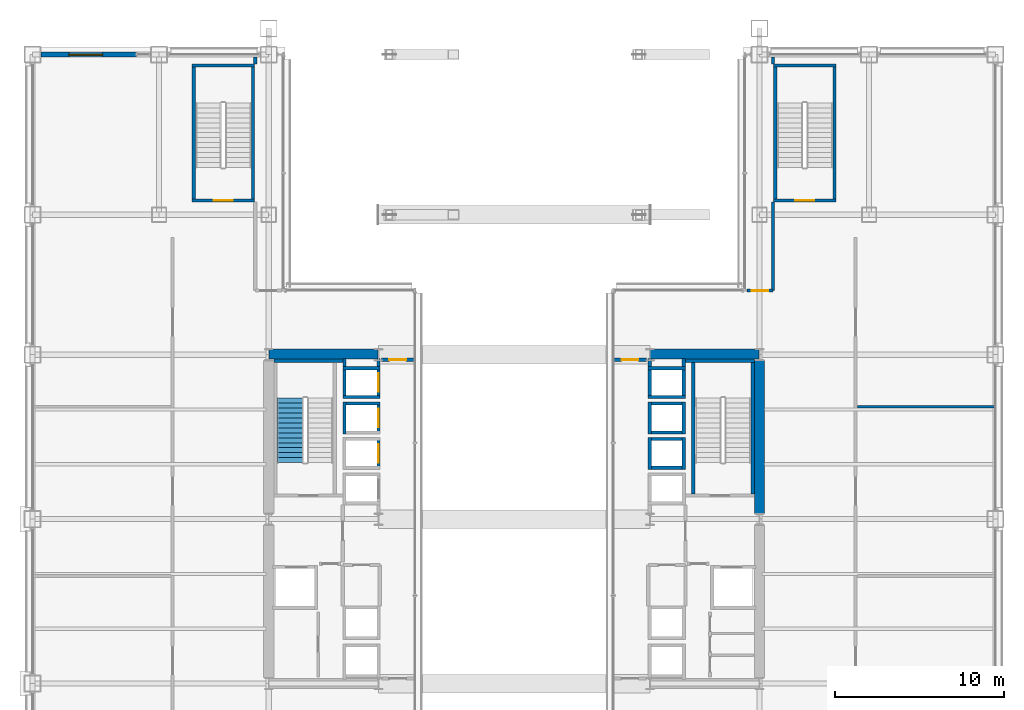
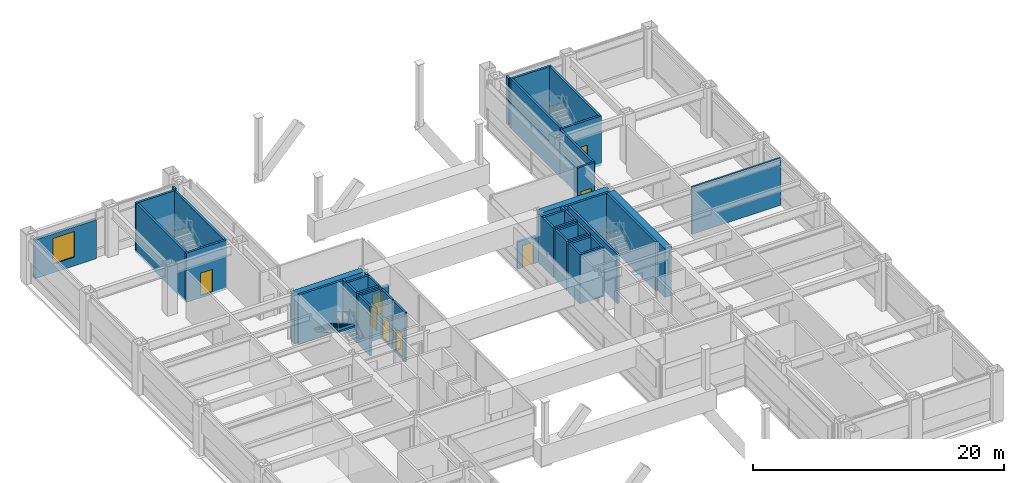
# One storey, part 39 of 42: 43 walls, 8 doors, 1 stair flight, 1 window, 9 openings, 1 element without a shape of its own.
"""IFC4 building model written with IfcOpenShell, lengths in metres."""

from ifc_helpers import new_model, si_unit, direction, frame, frame_2d, origin, place, context, subcontext, project, spatial, polyline, rectangle, outline, extrude, material, layer, layer_set, type_object, element, fill, aggregate, save


model = new_model("IFC4")

# Units and contexts
model_context = context("Model", 3, precision=1e-05, world=origin(), true_north=direction((0.0, 1.0)))
body_context = subcontext(model_context, "Body", "Model", "MODEL_VIEW")
ifc_project = project(units=[si_unit("LENGTHUNIT", "METRE"), si_unit("AREAUNIT", "SQUARE_METRE"), si_unit("VOLUMEUNIT", "CUBIC_METRE"), si_unit("PLANEANGLEUNIT", "RADIAN"), si_unit("MASSUNIT", "GRAM", prefix="KILO")], contexts=[model_context])

# Site, building, storey
site_placement = place(None, origin())
site = spatial("IfcSite", under=ifc_project, at=site_placement, CompositionType="ELEMENT")
building_placement = place(site_placement, origin())
building = spatial("IfcBuilding", under=site, at=building_placement, Name="Brelmoor Portico Tower", CompositionType="ELEMENT")
storey_placement = place(building_placement, frame((0.0, 0.0, 9.60009765625)))
storey = spatial("IfcBuildingStorey", under=building, at=storey_placement, Name="L02", CompositionType="ELEMENT", Elevation=9.60009765625)

# Walls
ifc_material_1 = material(Name="Concrete C60", Category="concrete")
ifc_layer_1 = layer(ifc_material_1, 0.60009765625)
ifc_layer_set_1 = layer_set([ifc_layer_1], Name="Concrete C60")
wall_type_1 = type_object("IfcWallType", Name="WL-CORE-600", PredefinedType="SHEAR", material=ifc_layer_set_1)
for number, where, z_axis, x_axis, name in (
    (1, (-14.530029296875, 9.800048828125, -0.22021484375), (0.0, 0.0, 1.0), (1.0, 0.0, 0.0), "L02 WC North Shear Wall"),
    (2, (8.070068359375, 9.800048828125, -0.22021484375), (0.0, 0.0, 1.0), (1.0, 0.0, 0.0), "L02 EC North Shear Wall"),
):
    element("IfcWall", number, at=place(storey_placement, frame(where, z_axis=z_axis, x_axis=x_axis)), inside=storey, type_object=wall_type_1, Name=name, PredefinedType="SHEAR", context=body_context, shape_type="SweptSolid", body=[
        extrude(rectangle(XDim=6.4599609375, YDim=0.60009765625, at=frame_2d((3.22998046875, 0.0))), origin(), (0.0, 0.0, 1.0), 4.800048828125),
    ])
wall_1_placement = place(storey_placement, frame((14.550048828125, 0.35009765625, -0.22021484375), z_axis=(0.0, 0.0, 1.0), x_axis=(0.0, 1.0, 0.0)))
element("IfcWall", 3, at=wall_1_placement, inside=storey, type_object=wall_type_1, Name="L02 EC Outer North Shear Wall", PredefinedType="SHEAR", context=body_context, shape_type="SweptSolid", body=[
    extrude(rectangle(XDim=9.0498046875, YDim=0.60009765625, at=frame_2d((4.52490234375, 0.0))), origin(), (0.0, 0.0, 1.0), 4.800048828125),
])

# Wall, opening, window
ifc_material_2 = material(Name="Precast Concrete C40 Acoustic Spandrel Wall", Category="concrete")
ifc_layer_2 = layer(ifc_material_2, 0.280029296875)
ifc_layer_set_2 = layer_set([ifc_layer_2], Name="Precast Concrete C40 Acoustic Spandrel Wall")
wall_type_2 = type_object("IfcWallType", Name="WL-EXT-280", PredefinedType="STANDARD", material=ifc_layer_set_2)
wall_2_placement = place(storey_placement, frame((-28.0400390625, 27.550048828125, 0.0), z_axis=(0.0, 0.0, 1.0), x_axis=(1.0, 0.0, 0.0)))
wall_2 = element("IfcWall", 4, at=wall_2_placement, inside=storey, type_object=wall_type_2, Name="L02 Podium North-West Precast Wall", PredefinedType="STANDARD", context=body_context, shape_type="SweptSolid", body=[
    extrude(rectangle(XDim=5.64013671875, YDim=0.280029296875, at=frame_2d((2.820068359375, 0.0))), origin(), (0.0, 0.0, 1.0), 3.77978515625),
])
opening_1_placement = place(wall_2_placement, frame((1.639892578125, 0.0, 0.85009765625)))
opening_1 = element("IfcOpeningElement", 5, at=opening_1_placement, cuts=wall_2, Name="Opening W-04B", PredefinedType="OPENING", context=body_context, shape_type="SweptSolid", body=[
    extrude(rectangle(XDim=2.0, YDim=2.5, at=frame_2d((1.0, 1.25))), frame((0.0, 0.14990234375, 0.0), z_axis=(0.0, -1.0, 0.0), x_axis=(1.0, 0.0, 0.0)), (0.0, 0.0, 1.0), 0.300048828125),
])
ifc_material_3 = material(Name="Thermally Broken Aluminium Low-E Window", Category="aluminium")
window_type = type_object("IfcWindowType", Name="WN-PODIUM-2000x2500", PartitioningType="SINGLE_PANEL", PredefinedType="WINDOW", material=ifc_material_3)
window_placement = place(opening_1_placement, origin())
window = element("IfcWindow", 6, at=window_placement, inside=storey, type_object=window_type, Name="L02 Podium Window PNW", OverallHeight=2.5, OverallWidth=2.0, PartitioningType="SINGLE_PANEL", PredefinedType="WINDOW", context=body_context, shape_type="SweptSolid", body=[
    extrude(rectangle(XDim=2.0, YDim=2.5, at=frame_2d((1.0, 1.25))), frame((0.0, 0.030029296875, 0.0), z_axis=(0.0, -1.0, 0.0), x_axis=(1.0, 0.0, 0.0)), (0.0, 0.0, 1.0), 0.06005859375),
])
fill(opening_1, window)

# Walls
ifc_material_4 = material(Name="Twin-Frame Acoustic Partition", Category="gypsum")
ifc_layer_3 = layer(ifc_material_4, 0.159912109375)
ifc_layer_set_3 = layer_set([ifc_layer_3], Name="Twin-Frame Acoustic Partition")
wall_type_3 = type_object("IfcWallType", Name="WL-PART-160", PredefinedType="PARTITIONING", material=ifc_layer_set_3)
wall_3_placement = place(storey_placement, frame((20.35009765625, 6.666748046875, 0.0), z_axis=(0.0, 0.0, 1.0), x_axis=(1.0, 0.0, 0.0)))
element("IfcWall", 7, at=wall_3_placement, inside=storey, type_object=wall_type_3, Name="L02 E Wing Divider 2", PredefinedType="PARTITIONING", context=body_context, shape_type="SweptSolid", body=[
    extrude(rectangle(XDim=8.169921875, YDim=0.159912109375, at=frame_2d((4.0849609375, 0.0))), origin(), (0.0, 0.0, 1.0), 4.579833984375),
])
ifc_material_5 = material(Name="Acoustic Corridor Fire Partition", Category="gypsum")
ifc_layer_4 = layer(ifc_material_5, 0.179931640625)
ifc_layer_set_4 = layer_set([ifc_layer_4], Name="Acoustic Corridor Fire Partition")
wall_type_4 = type_object("IfcWallType", Name="WL-PART-180", PredefinedType="PARTITIONING", material=ifc_layer_set_4)
wall_4_placement = place(storey_placement, frame((-15.35009765625, 27.0, 0.0), z_axis=(0.0, 0.0, 1.0), x_axis=(0.0, 1.0, 0.0)))
element("IfcWall", 8, at=wall_4_placement, inside=storey, type_object=wall_type_4, Name="L02 W North Reception Outer Wall North Closer", PredefinedType="PARTITIONING", context=body_context, shape_type="SweptSolid", body=[
    extrude(rectangle(XDim=0.419921875, YDim=0.179931640625, at=frame_2d((0.2099609375, 0.0))), origin(), (0.0, 0.0, 1.0), 4.579833984375),
])

# Wall, opening, door
wall_5_placement = place(storey_placement, frame((13.800048828125, 13.550048828125, 0.0), z_axis=(0.0, 0.0, 1.0), x_axis=(1.0, 0.0, 0.0)))
wall_5 = element("IfcWall", 9, at=wall_5_placement, inside=storey, type_object=wall_type_4, Name="L02 E North Reception Wall", PredefinedType="PARTITIONING", context=body_context, shape_type="SweptSolid", body=[
    extrude(rectangle(XDim=1.550048828125, YDim=0.179931640625, at=frame_2d((0.77490234375, 0.0))), origin(), (0.0, 0.0, 1.0), 4.579833984375),
])
opening_2_placement = place(wall_5_placement, frame((0.300048828125, 0.0, 0.0)))
opening_2 = element("IfcOpeningElement", 10, at=opening_2_placement, cuts=wall_5, Name="Opening D-IN2", PredefinedType="OPENING", context=body_context, shape_type="SweptSolid", body=[
    extrude(rectangle(XDim=0.9599609375, YDim=2.179931640625, at=frame_2d((0.47998046875, 1.08984375))), frame((0.0, 0.099853515625, 0.0), z_axis=(0.0, -1.0, 0.0), x_axis=(1.0, 0.0, 0.0)), (0.0, 0.0, 1.0), 0.199951171875),
])
ifc_material_6 = material(Name="Lacquered Timber Suite Door", Category="wood")
door_type_1 = type_object("IfcDoorType", Name="DR-INT-950", OperationType="NOTDEFINED", PredefinedType="DOOR", material=ifc_material_6)
door_1_placement = place(opening_2_placement, origin())
door_1 = element("IfcDoor", 11, at=door_1_placement, inside=storey, type_object=door_type_1, Name="D-0144 L02 E North Reception Foyer Door", OperationType="SINGLE_SWING_RIGHT", OverallHeight=2.179931640625, OverallWidth=0.9599609375, PredefinedType="DOOR", context=body_context, shape_type="SweptSolid", body=[
    extrude(rectangle(XDim=0.9599609375, YDim=2.179931640625, at=frame_2d((0.47998046875, 1.08984375))), frame((0.0, 0.02490234375, 0.0), z_axis=(0.0, -1.0, 0.0), x_axis=(1.0, 0.0, 0.0)), (0.0, 0.0, 1.0), 0.050048828125),
])
fill(opening_2, door_1)

# Walls
wall_6_placement = place(storey_placement, frame((15.35009765625, 13.550048828125, 0.0), z_axis=(0.0, 0.0, 1.0), x_axis=(0.0, 1.0, 0.0)))
element("IfcWall", 12, at=wall_6_placement, inside=storey, type_object=wall_type_4, Name="L02 E North Reception Outer Wall", PredefinedType="PARTITIONING", context=body_context, shape_type="SweptSolid", body=[
    extrude(rectangle(XDim=5.25, YDim=0.179931640625, at=frame_2d((2.625, 0.0))), origin(), (0.0, 0.0, 1.0), 4.579833984375),
])
wall_7_placement = place(storey_placement, frame((15.35009765625, 27.0, 0.0), z_axis=(0.0, 0.0, 1.0), x_axis=(0.0, 1.0, 0.0)))
element("IfcWall", 13, at=wall_7_placement, inside=storey, type_object=wall_type_4, Name="L02 E North Reception Outer Wall North Closer", PredefinedType="PARTITIONING", context=body_context, shape_type="SweptSolid", body=[
    extrude(rectangle(XDim=0.419921875, YDim=0.179931640625, at=frame_2d((0.2099609375, 0.0))), origin(), (0.0, 0.0, 1.0), 4.579833984375),
])

# Wall, opening, door
ifc_material_7 = material(Name="Double-Stud Gypsum Fire Partition", Category="gypsum")
ifc_layer_5 = layer(ifc_material_7, 0.199951171875)
ifc_layer_set_5 = layer_set([ifc_layer_5], Name="Double-Stud Gypsum Fire Partition")
wall_type_5 = type_object("IfcWallType", Name="WL-PART-200", PredefinedType="PARTITIONING", material=ifc_layer_set_5)
wall_8_placement = place(storey_placement, frame((-7.85009765625, 9.449951171875, 0.0), z_axis=(0.0, 0.0, 1.0), x_axis=(1.0, 0.0, 0.0)))
wall_8 = element("IfcWall", 14, at=wall_8_placement, inside=storey, type_object=wall_type_5, Name="L02 W Pier Lift Lobby North Wall", PredefinedType="PARTITIONING", context=body_context, shape_type="SweptSolid", body=[
    extrude(rectangle(XDim=1.93017578125, YDim=0.199951171875, at=frame_2d((0.965087890625, 0.0))), origin(), (0.0, 0.0, 1.0), 2.6298828125),
])
opening_3_placement = place(wall_8_placement, frame((0.449951171875, 0.0, 0.0)))
opening_3 = element("IfcOpeningElement", 15, at=opening_3_placement, cuts=wall_8, Name="Opening D-FR2", PredefinedType="OPENING", context=body_context, shape_type="SweptSolid", body=[
    extrude(rectangle(XDim=1.0, YDim=2.14990234375, at=frame_2d((0.5, 1.074951171875))), frame((0.0, 0.10986328125, 0.0), z_axis=(0.0, -1.0, 0.0), x_axis=(1.0, 0.0, 0.0)), (0.0, 0.0, 1.0), 0.219970703125),
])
ifc_material_8 = material(Name="Painted Galvanised Steel Fire Door", Category="steel")
door_type_2 = type_object("IfcDoorType", Name="DR-FIRE-1000", OperationType="NOTDEFINED", PredefinedType="DOOR", material=ifc_material_8)
door_2_placement = place(opening_3_placement, origin())
door_2 = element("IfcDoor", 16, at=door_2_placement, inside=storey, type_object=door_type_2, Name="D-0141 L02 W Pier Lift Lobby North Door", OperationType="SINGLE_SWING_RIGHT", OverallHeight=2.14990234375, OverallWidth=1.0, PredefinedType="DOOR", context=body_context, shape_type="SweptSolid", body=[
    extrude(rectangle(XDim=1.0, YDim=2.14990234375, at=frame_2d((0.5, 1.074951171875))), frame((0.0, 0.02490234375, 0.0), z_axis=(0.0, -1.0, 0.0), x_axis=(1.0, 0.0, 0.0)), (0.0, 0.0, 1.0), 0.050048828125),
])
fill(opening_3, door_2)

wall_9_placement = place(storey_placement, frame((5.919921875, 9.449951171875, 0.0), z_axis=(0.0, 0.0, 1.0), x_axis=(1.0, 0.0, 0.0)))
wall_9 = element("IfcWall", 17, at=wall_9_placement, inside=storey, type_object=wall_type_5, Name="L02 E Pier Lift Lobby North Wall", PredefinedType="PARTITIONING", context=body_context, shape_type="SweptSolid", body=[
    extrude(rectangle(XDim=1.93017578125, YDim=0.199951171875, at=frame_2d((0.965087890625, 0.0))), origin(), (0.0, 0.0, 1.0), 2.6298828125),
])
opening_4_placement = place(wall_9_placement, frame((0.449951171875, 0.0, 0.0)))
opening_4 = element("IfcOpeningElement", 18, at=opening_4_placement, cuts=wall_9, Name="Opening D-FR2", PredefinedType="OPENING", context=body_context, shape_type="SweptSolid", body=[
    extrude(rectangle(XDim=1.0, YDim=2.14990234375, at=frame_2d((0.5, 1.074951171875))), frame((0.0, 0.10986328125, 0.0), z_axis=(0.0, -1.0, 0.0), x_axis=(1.0, 0.0, 0.0)), (0.0, 0.0, 1.0), 0.219970703125),
])
door_3_placement = place(opening_4_placement, origin())
door_3 = element("IfcDoor", 19, at=door_3_placement, inside=storey, type_object=door_type_2, Name="D-0140 L02 E Pier Lift Lobby North Door", OperationType="SINGLE_SWING_RIGHT", OverallHeight=2.14990234375, OverallWidth=1.0, PredefinedType="DOOR", context=body_context, shape_type="SweptSolid", body=[
    extrude(rectangle(XDim=1.0, YDim=2.14990234375, at=frame_2d((0.5, 1.074951171875))), frame((0.0, 0.02490234375, 0.0), z_axis=(0.0, -1.0, 0.0), x_axis=(1.0, 0.0, 0.0)), (0.0, 0.0, 1.0), 0.050048828125),
])
fill(opening_4, door_3)

ifc_material_9 = material(Name="Precast Concrete C40", Category="concrete")
ifc_layer_6 = layer(ifc_material_9, 0.18994140625)
ifc_layer_set_6 = layer_set([ifc_layer_6], Name="Precast Concrete C40")
wall_type_6 = type_object("IfcWallType", Name="WL-SHAFT-180", PredefinedType="SOLIDWALL", material=ifc_layer_set_6)
wall_10_placement = place(storey_placement, frame((-8.044921875, 2.949951171875, -0.22021484375), z_axis=(0.0, 0.0, 1.0), x_axis=(0.0, 1.0, 0.0)))
wall_10 = element("IfcWall", 20, at=wall_10_placement, inside=storey, type_object=wall_type_6, Name="L02 Lift PL2 Hoistway Front Wall", PredefinedType="SOLIDWALL", context=body_context, shape_type="SweptSolid", body=[
    extrude(rectangle(XDim=1.900146484375, YDim=0.18994140625, at=frame_2d((0.9501953125, 0.0))), origin(), (0.0, 0.0, 1.0), 4.800048828125),
])
opening_5_placement = place(wall_10_placement, frame((0.39990234375, 0.0, 0.219970703125)))
opening_5 = element("IfcOpeningElement", 21, at=opening_5_placement, cuts=wall_10, Name="Opening LD-01", PredefinedType="OPENING", context=body_context, shape_type="SweptSolid", body=[
    extrude(rectangle(XDim=1.10009765625, YDim=2.199951171875, at=frame_2d((0.550048828125, 1.10009765625))), frame((0.0, 0.10498046875, 0.0), z_axis=(0.0, -1.0, 0.0), x_axis=(1.0, 0.0, 0.0)), (0.0, 0.0, 1.0), 0.2099609375),
])
ifc_material_10 = material(Name="Brushed Stainless Steel Sliding Lift Door", Category="steel")
door_type_3 = type_object("IfcDoorType", Name="DR-LIFT-1100", OperationType="NOTDEFINED", PredefinedType="DOOR", material=ifc_material_10)
door_4_placement = place(opening_5_placement, origin())
door_4 = element("IfcDoor", 22, at=door_4_placement, inside=storey, type_object=door_type_3, Name="D-0163 L02 Lift PL2 Sliding Landing Door", OperationType="SLIDING_TO_LEFT", OverallHeight=2.199951171875, OverallWidth=1.10009765625, PredefinedType="DOOR", context=body_context, shape_type="SweptSolid", body=[
    extrude(rectangle(XDim=1.10009765625, YDim=2.199951171875, at=frame_2d((0.550048828125, 1.10009765625))), frame((0.0, 0.02490234375, 0.0), z_axis=(0.0, -1.0, 0.0), x_axis=(1.0, 0.0, 0.0)), (0.0, 0.0, 1.0), 0.050048828125),
])
fill(opening_5, door_4)

wall_11_placement = place(storey_placement, frame((-8.044921875, 5.050048828125, -0.22021484375), z_axis=(0.0, 0.0, 1.0), x_axis=(0.0, 1.0, 0.0)))
wall_11 = element("IfcWall", 23, at=wall_11_placement, inside=storey, type_object=wall_type_6, Name="L02 Lift PL3 Hoistway Front Wall", PredefinedType="SOLIDWALL", context=body_context, shape_type="SweptSolid", body=[
    extrude(rectangle(XDim=1.89990234375, YDim=0.18994140625, at=frame_2d((0.949951171875, 0.0))), origin(), (0.0, 0.0, 1.0), 4.800048828125),
])
opening_6_placement = place(wall_11_placement, frame((0.39990234375, 0.0, 0.219970703125)))
opening_6 = element("IfcOpeningElement", 24, at=opening_6_placement, cuts=wall_11, Name="Opening LD-01", PredefinedType="OPENING", context=body_context, shape_type="SweptSolid", body=[
    extrude(rectangle(XDim=1.10009765625, YDim=2.199951171875, at=frame_2d((0.550048828125, 1.10009765625))), frame((0.0, 0.10498046875, 0.0), z_axis=(0.0, -1.0, 0.0), x_axis=(1.0, 0.0, 0.0)), (0.0, 0.0, 1.0), 0.2099609375),
])
door_5_placement = place(opening_6_placement, origin())
door_5 = element("IfcDoor", 25, at=door_5_placement, inside=storey, type_object=door_type_3, Name="D-0164 L02 Lift PL3 Sliding Landing Door", OperationType="SLIDING_TO_LEFT", OverallHeight=2.199951171875, OverallWidth=1.10009765625, PredefinedType="DOOR", context=body_context, shape_type="SweptSolid", body=[
    extrude(rectangle(XDim=1.10009765625, YDim=2.199951171875, at=frame_2d((0.550048828125, 1.10009765625))), frame((0.0, 0.02490234375, 0.0), z_axis=(0.0, -1.0, 0.0), x_axis=(1.0, 0.0, 0.0)), (0.0, 0.0, 1.0), 0.050048828125),
])
fill(opening_6, door_5)

# Walls
wall_12_placement = place(storey_placement, frame((-10.054931640625, 5.050048828125, -0.22021484375), z_axis=(0.0, 0.0, 1.0), x_axis=(0.0, 1.0, 0.0)))
element("IfcWall", 26, at=wall_12_placement, inside=storey, type_object=wall_type_6, Name="L02 Lift PL3 Hoistway Back Wall", PredefinedType="SOLIDWALL", context=body_context, shape_type="SweptSolid", body=[
    extrude(rectangle(XDim=1.89990234375, YDim=0.18994140625, at=frame_2d((0.949951171875, 0.0))), origin(), (0.0, 0.0, 1.0), 4.800048828125),
])
wall_13_placement = place(storey_placement, frame((-10.14990234375, 6.85498046875, -0.22021484375), z_axis=(0.0, 0.0, 1.0), x_axis=(1.0, 0.0, 0.0)))
element("IfcWall", 27, at=wall_13_placement, inside=storey, type_object=wall_type_6, Name="L02 Lift PL3 Hoistway North Wall", PredefinedType="SOLIDWALL", context=body_context, shape_type="SweptSolid", body=[
    extrude(rectangle(XDim=2.199951171875, YDim=0.18994140625, at=frame_2d((1.10009765625, 0.0))), origin(), (0.0, 0.0, 1.0), 4.800048828125),
])

# Wall, opening, door
wall_14_placement = place(storey_placement, frame((-8.044921875, 7.14990234375, -0.22021484375), z_axis=(0.0, 0.0, 1.0), x_axis=(0.0, 1.0, 0.0)))
wall_14 = element("IfcWall", 28, at=wall_14_placement, inside=storey, type_object=wall_type_6, Name="L02 Lift PL4 Hoistway Front Wall", PredefinedType="SOLIDWALL", context=body_context, shape_type="SweptSolid", body=[
    extrude(rectangle(XDim=2.3701171875, YDim=0.18994140625, at=frame_2d((1.18505859375, 0.0))), origin(), (0.0, 0.0, 1.0), 4.800048828125),
])
opening_7_placement = place(wall_14_placement, frame((0.39990234375, 0.0, 0.219970703125)))
opening_7 = element("IfcOpeningElement", 29, at=opening_7_placement, cuts=wall_14, Name="Opening LD-01", PredefinedType="OPENING", context=body_context, shape_type="SweptSolid", body=[
    extrude(rectangle(XDim=1.10009765625, YDim=2.199951171875, at=frame_2d((0.550048828125, 1.10009765625))), frame((0.0, 0.10498046875, 0.0), z_axis=(0.0, -1.0, 0.0), x_axis=(1.0, 0.0, 0.0)), (0.0, 0.0, 1.0), 0.2099609375),
])
door_6_placement = place(opening_7_placement, origin())
door_6 = element("IfcDoor", 30, at=door_6_placement, inside=storey, type_object=door_type_3, Name="D-0165 L02 Lift PL4 Sliding Landing Door", OperationType="SLIDING_TO_LEFT", OverallHeight=2.199951171875, OverallWidth=1.10009765625, PredefinedType="DOOR", context=body_context, shape_type="SweptSolid", body=[
    extrude(rectangle(XDim=1.10009765625, YDim=2.199951171875, at=frame_2d((0.550048828125, 1.10009765625))), frame((0.0, 0.02490234375, 0.0), z_axis=(0.0, -1.0, 0.0), x_axis=(1.0, 0.0, 0.0)), (0.0, 0.0, 1.0), 0.050048828125),
])
fill(opening_7, door_6)

# Walls
wall_15_placement = place(storey_placement, frame((-10.054931640625, 7.14990234375, -0.22021484375), z_axis=(0.0, 0.0, 1.0), x_axis=(0.0, 1.0, 0.0)))
element("IfcWall", 31, at=wall_15_placement, inside=storey, type_object=wall_type_6, Name="L02 Lift PL4 Hoistway Back Wall", PredefinedType="SOLIDWALL", context=body_context, shape_type="SweptSolid", body=[
    extrude(rectangle(XDim=2.3701171875, YDim=0.18994140625, at=frame_2d((1.18505859375, 0.0))), origin(), (0.0, 0.0, 1.0), 4.800048828125),
])
for number, where, z_axis, x_axis, name in (
    (32, (-10.14990234375, 8.955078125, -0.22021484375), (0.0, 0.0, 1.0), (1.0, 0.0, 0.0), "L02 Lift PL4 Hoistway North Wall"),
    (33, (-10.14990234375, 7.2451171875, -0.22021484375), (0.0, 0.0, 1.0), (1.0, 0.0, 0.0), "L02 Lift PL4 Hoistway South Wall"),
):
    element("IfcWall", number, at=place(storey_placement, frame(where, z_axis=z_axis, x_axis=x_axis)), inside=storey, type_object=wall_type_6, Name=name, PredefinedType="SOLIDWALL", context=body_context, shape_type="SweptSolid", body=[
        extrude(rectangle(XDim=2.199951171875, YDim=0.18994140625, at=frame_2d((1.10009765625, 0.0))), origin(), (0.0, 0.0, 1.0), 4.800048828125),
    ])
for number, where, z_axis, x_axis, name in (
    (34, (8.044921875, 2.949951171875, -0.22021484375), (0.0, 0.0, 1.0), (0.0, 1.0, 0.0), "L02 Lift PM2 Hoistway Front Wall"),
    (35, (10.054931640625, 2.949951171875, -0.22021484375), (0.0, 0.0, 1.0), (0.0, 1.0, 0.0), "L02 Lift PM2 Hoistway Back Wall"),
):
    element("IfcWall", number, at=place(storey_placement, frame(where, z_axis=z_axis, x_axis=x_axis)), inside=storey, type_object=wall_type_6, Name=name, PredefinedType="SOLIDWALL", context=body_context, shape_type="SweptSolid", body=[
        extrude(rectangle(XDim=1.900146484375, YDim=0.18994140625, at=frame_2d((0.9501953125, 0.0))), origin(), (0.0, 0.0, 1.0), 4.800048828125),
    ])
for number, where, z_axis, x_axis, name in (
    (36, (7.949951171875, 4.7548828125, -0.22021484375), (0.0, 0.0, 1.0), (1.0, 0.0, 0.0), "L02 Lift PM2 Hoistway North Wall"),
    (37, (7.949951171875, 3.044921875, -0.22021484375), (0.0, 0.0, 1.0), (1.0, 0.0, 0.0), "L02 Lift PM2 Hoistway South Wall"),
):
    element("IfcWall", number, at=place(storey_placement, frame(where, z_axis=z_axis, x_axis=x_axis)), inside=storey, type_object=wall_type_6, Name=name, PredefinedType="SOLIDWALL", context=body_context, shape_type="SweptSolid", body=[
        extrude(rectangle(XDim=2.199951171875, YDim=0.18994140625, at=frame_2d((1.10009765625, 0.0))), origin(), (0.0, 0.0, 1.0), 4.800048828125),
    ])
for number, where, z_axis, x_axis, name in (
    (38, (8.044921875, 5.050048828125, -0.22021484375), (0.0, 0.0, 1.0), (0.0, 1.0, 0.0), "L02 Lift PM3 Hoistway Front Wall"),
    (39, (10.054931640625, 5.050048828125, -0.22021484375), (0.0, 0.0, 1.0), (0.0, 1.0, 0.0), "L02 Lift PM3 Hoistway Back Wall"),
):
    element("IfcWall", number, at=place(storey_placement, frame(where, z_axis=z_axis, x_axis=x_axis)), inside=storey, type_object=wall_type_6, Name=name, PredefinedType="SOLIDWALL", context=body_context, shape_type="SweptSolid", body=[
        extrude(rectangle(XDim=1.89990234375, YDim=0.18994140625, at=frame_2d((0.949951171875, 0.0))), origin(), (0.0, 0.0, 1.0), 4.800048828125),
    ])
for number, where, z_axis, x_axis, name in (
    (40, (7.949951171875, 6.85498046875, -0.22021484375), (0.0, 0.0, 1.0), (1.0, 0.0, 0.0), "L02 Lift PM3 Hoistway North Wall"),
    (41, (7.949951171875, 5.14501953125, -0.22021484375), (0.0, 0.0, 1.0), (1.0, 0.0, 0.0), "L02 Lift PM3 Hoistway South Wall"),
):
    element("IfcWall", number, at=place(storey_placement, frame(where, z_axis=z_axis, x_axis=x_axis)), inside=storey, type_object=wall_type_6, Name=name, PredefinedType="SOLIDWALL", context=body_context, shape_type="SweptSolid", body=[
        extrude(rectangle(XDim=2.199951171875, YDim=0.18994140625, at=frame_2d((1.10009765625, 0.0))), origin(), (0.0, 0.0, 1.0), 4.800048828125),
    ])
for number, where, z_axis, x_axis, name in (
    (42, (8.044921875, 7.14990234375, -0.22021484375), (0.0, 0.0, 1.0), (0.0, 1.0, 0.0), "L02 Lift PM4 Hoistway Front Wall"),
    (43, (10.054931640625, 7.14990234375, -0.22021484375), (0.0, 0.0, 1.0), (0.0, 1.0, 0.0), "L02 Lift PM4 Hoistway Back Wall"),
):
    element("IfcWall", number, at=place(storey_placement, frame(where, z_axis=z_axis, x_axis=x_axis)), inside=storey, type_object=wall_type_6, Name=name, PredefinedType="SOLIDWALL", context=body_context, shape_type="SweptSolid", body=[
        extrude(rectangle(XDim=2.3701171875, YDim=0.18994140625, at=frame_2d((1.18505859375, 0.0))), origin(), (0.0, 0.0, 1.0), 4.800048828125),
    ])
for number, where, z_axis, x_axis, name in (
    (44, (7.949951171875, 8.955078125, -0.22021484375), (0.0, 0.0, 1.0), (1.0, 0.0, 0.0), "L02 Lift PM4 Hoistway North Wall"),
    (45, (7.949951171875, 7.2451171875, -0.22021484375), (0.0, 0.0, 1.0), (1.0, 0.0, 0.0), "L02 Lift PM4 Hoistway South Wall"),
):
    element("IfcWall", number, at=place(storey_placement, frame(where, z_axis=z_axis, x_axis=x_axis)), inside=storey, type_object=wall_type_6, Name=name, PredefinedType="SOLIDWALL", context=body_context, shape_type="SweptSolid", body=[
        extrude(rectangle(XDim=2.199951171875, YDim=0.18994140625, at=frame_2d((1.10009765625, 0.0))), origin(), (0.0, 0.0, 1.0), 4.800048828125),
    ])
ifc_material_11 = material(Name="Concrete C40", Category="concrete")
ifc_layer_7 = layer(ifc_material_11, 0.199951171875)
ifc_layer_set_7 = layer_set([ifc_layer_7], Name="Concrete C40")
wall_type_7 = type_object("IfcWallType", Name="WL-SHAFT-RC200", PredefinedType="SOLIDWALL", material=ifc_layer_set_7)
wall_16_placement = place(storey_placement, frame((14.14990234375, 1.5, -0.22021484375), z_axis=(0.0, 0.0, 1.0), x_axis=(0.0, 1.0, 0.0)))
element("IfcWall", 46, at=wall_16_placement, inside=storey, type_object=wall_type_7, Name="L02 ST-E Structural Stair Wall Outer", PredefinedType="SOLIDWALL", context=body_context, shape_type="SweptSolid", body=[
    extrude(rectangle(XDim=7.800048828125, YDim=0.199951171875, at=frame_2d((3.89990234375, 0.0))), origin(), (0.0, 0.0, 1.0), 4.800048828125),
])
for number, where, z_axis, x_axis, name in (
    (47, (-14.25, 9.39990234375, -0.22021484375), (0.0, 0.0, 1.0), (1.0, 0.0, 0.0), "L02 ST-W Structural Stair Wall N"),
    (48, (10.14990234375, 9.39990234375, -0.22021484375), (0.0, 0.0, 1.0), (1.0, 0.0, 0.0), "L02 ST-E Structural Stair Wall N"),
):
    element("IfcWall", number, at=place(storey_placement, frame(where, z_axis=z_axis, x_axis=x_axis)), inside=storey, type_object=wall_type_7, Name=name, PredefinedType="SOLIDWALL", context=body_context, shape_type="SweptSolid", body=[
        extrude(rectangle(XDim=4.10009765625, YDim=0.199951171875, at=frame_2d((2.050048828125, 0.0))), origin(), (0.0, 0.0, 1.0), 4.800048828125),
    ])
wall_17_placement = place(storey_placement, frame((10.6298828125, 1.5, -0.22021484375), z_axis=(0.0, 0.0, 1.0), x_axis=(0.0, 1.0, 0.0)))
element("IfcWall", 49, at=wall_17_placement, inside=storey, type_object=wall_type_7, Name="L02 ST-E Structural Stair Wall Inner", PredefinedType="SOLIDWALL", context=body_context, shape_type="SweptSolid", body=[
    extrude(rectangle(XDim=7.800048828125, YDim=0.199951171875, at=frame_2d((3.89990234375, 0.0))), origin(), (0.0, 0.0, 1.0), 4.800048828125),
])

# Wall, opening, door
wall_18_placement = place(storey_placement, frame((-19.10009765625, 18.89990234375, -0.22021484375), z_axis=(0.0, 0.0, 1.0), x_axis=(1.0, 0.0, 0.0)))
wall_18 = element("IfcWall", 50, at=wall_18_placement, inside=storey, type_object=wall_type_7, Name="L02 ST-P1 Structural Stair Wall S", PredefinedType="SOLIDWALL", context=body_context, shape_type="SweptSolid", body=[
    extrude(rectangle(XDim=3.72021484375, YDim=0.199951171875, at=frame_2d((1.860107421875, 0.0))), origin(), (0.0, 0.0, 1.0), 4.800048828125),
])
opening_8_placement = place(wall_18_placement, frame((1.300048828125, 0.0, 0.219970703125)))
opening_8 = element("IfcOpeningElement", 51, at=opening_8_placement, cuts=wall_18, Name="Opening D-ST1", PredefinedType="OPENING", context=body_context, shape_type="SweptSolid", body=[
    extrude(rectangle(XDim=1.1201171875, YDim=2.179931640625, at=frame_2d((0.56005859375, 1.08984375))), frame((0.0, 0.10986328125, 0.0), z_axis=(0.0, -1.0, 0.0), x_axis=(1.0, 0.0, 0.0)), (0.0, 0.0, 1.0), 0.219970703125),
])
door_type_4 = type_object("IfcDoorType", Name="DR-STAIR-1100", OperationType="NOTDEFINED", PredefinedType="DOOR", material=ifc_material_8)
door_7_placement = place(opening_8_placement, origin())
door_7 = element("IfcDoor", 52, at=door_7_placement, inside=storey, type_object=door_type_4, Name="D-0157 L02 ST-P1 Podium Exit Stair Door", OperationType="SINGLE_SWING_LEFT", OverallHeight=2.179931640625, OverallWidth=1.1201171875, PredefinedType="DOOR", context=body_context, shape_type="SweptSolid", body=[
    extrude(rectangle(XDim=1.1201171875, YDim=2.179931640625, at=frame_2d((0.56005859375, 1.08984375))), frame((0.0, 0.02490234375, 0.0), z_axis=(0.0, -1.0, 0.0), x_axis=(1.0, 0.0, 0.0)), (0.0, 0.0, 1.0), 0.050048828125),
])
fill(opening_8, door_7)

# Walls
wall_19_placement = place(storey_placement, frame((-19.10009765625, 26.89990234375, -0.22021484375), z_axis=(0.0, 0.0, 1.0), x_axis=(1.0, 0.0, 0.0)))
element("IfcWall", 53, at=wall_19_placement, inside=storey, type_object=wall_type_7, Name="L02 ST-P1 Structural Stair Wall N", PredefinedType="SOLIDWALL", context=body_context, shape_type="SweptSolid", body=[
    extrude(rectangle(XDim=3.72021484375, YDim=0.199951171875, at=frame_2d((1.860107421875, 0.0))), origin(), (0.0, 0.0, 1.0), 4.800048828125),
])
for number, where, z_axis, x_axis, name in (
    (54, (-19.0, 19.0, -0.22021484375), (0.0, 0.0, 1.0), (0.0, 1.0, 0.0), "L02 ST-P1 Structural Stair Wall W"),
    (55, (-15.47998046875, 19.0, -0.22021484375), (0.0, 0.0, 1.0), (0.0, 1.0, 0.0), "L02 ST-P1 Structural Stair Wall E"),
):
    element("IfcWall", number, at=place(storey_placement, frame(where, z_axis=z_axis, x_axis=x_axis)), inside=storey, type_object=wall_type_7, Name=name, PredefinedType="SOLIDWALL", context=body_context, shape_type="SweptSolid", body=[
        extrude(rectangle(XDim=7.800048828125, YDim=0.199951171875, at=frame_2d((3.89990234375, 0.0))), origin(), (0.0, 0.0, 1.0), 4.800048828125),
    ])

# Wall, opening, door
wall_20_placement = place(storey_placement, frame((15.3798828125, 18.89990234375, -0.22021484375), z_axis=(0.0, 0.0, 1.0), x_axis=(1.0, 0.0, 0.0)))
wall_20 = element("IfcWall", 56, at=wall_20_placement, inside=storey, type_object=wall_type_7, Name="L02 ST-P2 Structural Stair Wall S", PredefinedType="SOLIDWALL", context=body_context, shape_type="SweptSolid", body=[
    extrude(rectangle(XDim=3.72021484375, YDim=0.199951171875, at=frame_2d((1.860107421875, 0.0))), origin(), (0.0, 0.0, 1.0), 4.800048828125),
])
opening_9_placement = place(wall_20_placement, frame((1.300048828125, 0.0, 0.219970703125)))
opening_9 = element("IfcOpeningElement", 57, at=opening_9_placement, cuts=wall_20, Name="Opening D-ST1", PredefinedType="OPENING", context=body_context, shape_type="SweptSolid", body=[
    extrude(rectangle(XDim=1.1201171875, YDim=2.179931640625, at=frame_2d((0.56005859375, 1.08984375))), frame((0.0, 0.10986328125, 0.0), z_axis=(0.0, -1.0, 0.0), x_axis=(1.0, 0.0, 0.0)), (0.0, 0.0, 1.0), 0.219970703125),
])
door_8_placement = place(opening_9_placement, origin())
door_8 = element("IfcDoor", 58, at=door_8_placement, inside=storey, type_object=door_type_4, Name="D-0158 L02 ST-P2 Podium Exit Stair Door", OperationType="SINGLE_SWING_RIGHT", OverallHeight=2.179931640625, OverallWidth=1.1201171875, PredefinedType="DOOR", context=body_context, shape_type="SweptSolid", body=[
    extrude(rectangle(XDim=1.1201171875, YDim=2.179931640625, at=frame_2d((0.56005859375, 1.08984375))), frame((0.0, 0.02490234375, 0.0), z_axis=(0.0, -1.0, 0.0), x_axis=(1.0, 0.0, 0.0)), (0.0, 0.0, 1.0), 0.050048828125),
])
fill(opening_9, door_8)

# Walls
wall_21_placement = place(storey_placement, frame((15.3798828125, 26.89990234375, -0.22021484375), z_axis=(0.0, 0.0, 1.0), x_axis=(1.0, 0.0, 0.0)))
element("IfcWall", 59, at=wall_21_placement, inside=storey, type_object=wall_type_7, Name="L02 ST-P2 Structural Stair Wall N", PredefinedType="SOLIDWALL", context=body_context, shape_type="SweptSolid", body=[
    extrude(rectangle(XDim=3.72021484375, YDim=0.199951171875, at=frame_2d((1.860107421875, 0.0))), origin(), (0.0, 0.0, 1.0), 4.800048828125),
])
for number, where, z_axis, x_axis, name in (
    (60, (15.47998046875, 19.0, -0.22021484375), (0.0, 0.0, 1.0), (0.0, 1.0, 0.0), "L02 ST-P2 Structural Stair Wall W"),
    (61, (19.0, 19.0, -0.22021484375), (0.0, 0.0, 1.0), (0.0, 1.0, 0.0), "L02 ST-P2 Structural Stair Wall E"),
):
    element("IfcWall", number, at=place(storey_placement, frame(where, z_axis=z_axis, x_axis=x_axis)), inside=storey, type_object=wall_type_7, Name=name, PredefinedType="SOLIDWALL", context=body_context, shape_type="SweptSolid", body=[
        extrude(rectangle(XDim=7.800048828125, YDim=0.199951171875, at=frame_2d((3.89990234375, 0.0))), origin(), (0.0, 0.0, 1.0), 4.800048828125),
    ])

# Stair, stair flight
stair_type = type_object("IfcStairType", Name="ST-CORE-W", PredefinedType="HALF_TURN_STAIR", material=ifc_material_11)
stair_placement = place(storey_placement, origin())
stair = element("IfcStair", 62, at=stair_placement, inside=storey, type_object=stair_type, Name="L02 Protected Core Exit Stair ST-W", PredefinedType="HALF_TURN_STAIR")
stair_flight_type = type_object("IfcStairFlightType", Name="SF-CORE-1850", PredefinedType="STRAIGHT", material=ifc_material_11)
stair_flight_placement = place(storey_placement, frame((-13.27001953125, 7.18505859375, 2.39990234375), z_axis=(0.0, 0.0, 1.0), x_axis=(0.0, -1.0, 0.0)))
stair_flight = element("IfcStairFlight", 63, at=stair_flight_placement, type_object=stair_flight_type, Name="ST-W flight 2", NumberOfRisers=14, NumberOfTreads=13, PredefinedType="STRAIGHT", RiserHeight=0.171428571, TreadLength=0.295, context=body_context, shape_type="SweptSolid", body=[
    extrude(outline(polyline([(0.0, 0.0), (0.0, 0.17138671875), (0.294921875, 0.17138671875), (0.294921875, 0.3427734375), (0.590087890625, 0.3427734375), (0.590087890625, 0.514404296875), (0.885009765625, 0.514404296875), (0.885009765625, 0.685791015625), (1.179931640625, 0.685791015625), (1.179931640625, 0.857177734375), (1.47509765625, 0.857177734375), (1.47509765625, 1.028564453125), (1.77001953125, 1.028564453125), (1.77001953125, 1.199951171875), (2.06494140625, 1.199951171875), (2.06494140625, 1.371337890625), (2.360107421875, 1.371337890625), (2.360107421875, 1.54296875), (2.655029296875, 1.54296875), (2.655029296875, 1.71435546875), (2.949951171875, 1.71435546875), (2.949951171875, 1.8857421875), (3.2451171875, 1.8857421875), (3.2451171875, 2.05712890625), (3.5400390625, 2.05712890625), (3.5400390625, 2.228515625), (3.8349609375, 2.228515625), (3.8349609375, 2.39990234375), (3.8349609375, 2.05517578125), (0.29833984375, 0.0), (0.0, 0.0)])), frame((0.0, 0.780029296875, 0.0), z_axis=(0.0, -1.0, 0.0), x_axis=(1.0, 0.0, 0.0)), (0.0, 0.0, 1.0), 1.56005859375),
])
aggregate(stair, [stair_flight])

save(model, "model.ifc")
